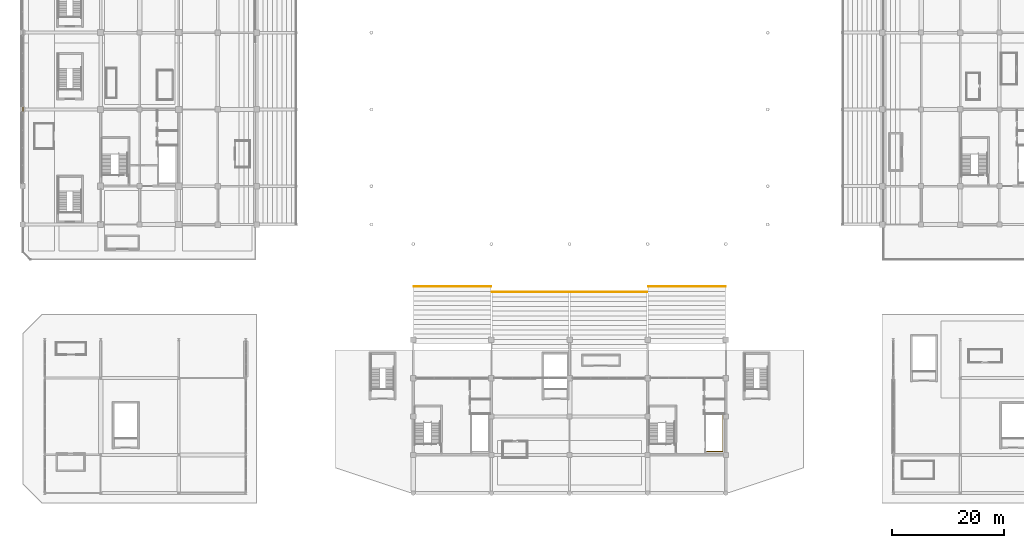
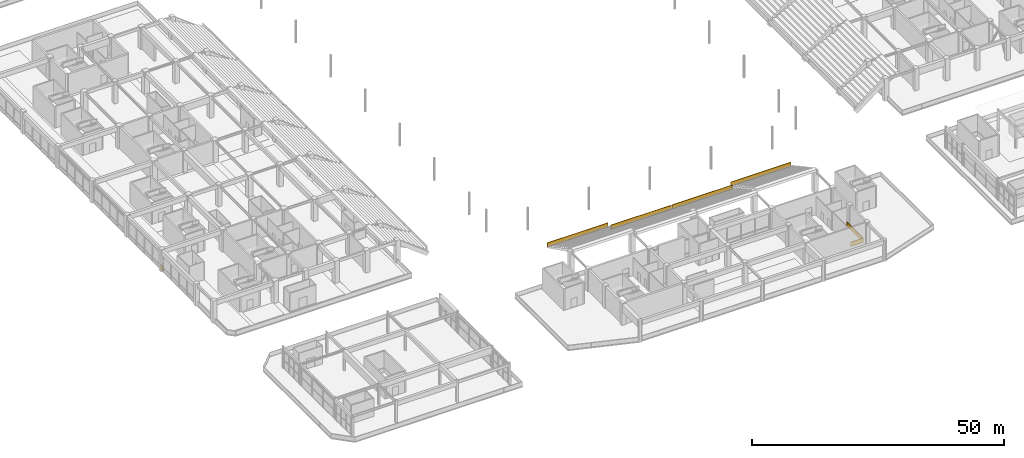
# One storey, part 106 of 117: 6 railings.
"""IFC4 building model written with IfcOpenShell, lengths in metres."""

from ifc_helpers import new_model, si_unit, direction, frame, origin, origin_2d, place, context, subcontext, project, spatial, rectangle, extrude, material, type_object, element, save


model = new_model("IFC4")

# Units and contexts
model_context = context("Model", 3, precision=1e-05, world=origin(), true_north=direction((0.0, 1.0)))
body_context = subcontext(model_context, "Body", "Model", "MODEL_VIEW")
ifc_project = project(units=[si_unit("LENGTHUNIT", "METRE"), si_unit("AREAUNIT", "SQUARE_METRE"), si_unit("VOLUMEUNIT", "CUBIC_METRE"), si_unit("PLANEANGLEUNIT", "RADIAN"), si_unit("MASSUNIT", "GRAM", prefix="KILO")], contexts=[model_context])

# Site, building, storey
site_placement = place(None, origin())
site = spatial("IfcSite", under=ifc_project, at=site_placement, CompositionType="ELEMENT")
building_placement = place(site_placement, origin())
building = spatial("IfcBuilding", under=site, at=building_placement, Name="Linyun Crest Stadium", CompositionType="ELEMENT")
storey_placement = place(building_placement, frame((0.0, 0.0, 6.0)))
storey = spatial("IfcBuildingStorey", under=building, at=storey_placement, Name="L02", CompositionType="ELEMENT", Elevation=6.0)

# Railings
ifc_material = material(Name="Galvanized and powder-coated steel bowl safety barrier", Category="steel")
railing_type = type_object("IfcRailingType", Name="GR02", PredefinedType="GUARDRAIL", material=ifc_material)
for number, where, name in (
    (1, (-27.919921875, -57.10009765625, 0.300048828125), "Bowl front safety guard GR02 62"),
    (2, (-13.919921875, -58.10009765625, 0.300048828125), "Bowl front safety guard GR02 69"),
    (3, (0.080078125, -58.10009765625, 0.300048828125), "Bowl front safety guard GR02 76"),
    (4, (14.080078125, -57.10009765625, 0.300048828125), "Bowl front safety guard GR02 83"),
):
    element("IfcRailing", number, at=place(storey_placement, frame(where)), inside=storey, type_object=railing_type, Name=name, PredefinedType="GUARDRAIL", context=body_context, shape_type="SweptSolid", body=[
        extrude(rectangle(XDim=0.06005859375, YDim=0.06005859375, at=origin_2d()), frame((0.0, 0.0, 1.090087890625), z_axis=(1.0, 0.0, 0.0), x_axis=(0.0, 1.0, 0.0)), (0.0, 0.0, 1.0), 13.83984375),
        extrude(rectangle(XDim=0.030029296875, YDim=1.0, at=origin_2d()), frame((0.0, 0.0, 0.56005859375), z_axis=(1.0, 0.0, 0.0), x_axis=(0.0, 1.0, 0.0)), (0.0, 0.0, 1.0), 13.83984375),
        extrude(rectangle(XDim=0.06005859375, YDim=0.06005859375, at=origin_2d()), frame((0.0, 0.0, 0.030029296875), z_axis=(1.0, 0.0, 0.0), x_axis=(0.0, 1.0, 0.0)), (0.0, 0.0, 1.0), 13.83984375),
        extrude(rectangle(XDim=0.050048828125, YDim=0.050048828125, at=origin_2d()), origin(), (0.0, 0.0, 1.0), 1.1201171875),
        extrude(rectangle(XDim=0.050048828125, YDim=0.050048828125, at=origin_2d()), frame((2.306640625, 0.0, 0.0)), (0.0, 0.0, 1.0), 1.1201171875),
        extrude(rectangle(XDim=0.050048828125, YDim=0.050048828125, at=origin_2d()), frame((4.61328125, 0.0, 0.0)), (0.0, 0.0, 1.0), 1.1201171875),
        extrude(rectangle(XDim=0.050048828125, YDim=0.050048828125, at=origin_2d()), frame((6.919921875, 0.0, 0.0)), (0.0, 0.0, 1.0), 1.1201171875),
        extrude(rectangle(XDim=0.050048828125, YDim=0.050048828125, at=origin_2d()), frame((9.2265625, 0.0, 0.0)), (0.0, 0.0, 1.0), 1.1201171875),
        extrude(rectangle(XDim=0.050048828125, YDim=0.050048828125, at=origin_2d()), frame((11.533203125, 0.0, 0.0)), (0.0, 0.0, 1.0), 1.1201171875),
        extrude(rectangle(XDim=0.050048828125, YDim=0.050048828125, at=origin_2d()), frame((13.83984375, 0.0, 0.0)), (0.0, 0.0, 1.0), 1.1201171875),
    ])
railing_1_placement = place(storey_placement, frame((-97.93994140625, -25.925048828125, 0.0)))
element("IfcRailing", 5, at=railing_1_placement, inside=storey, type_object=railing_type, Name="Slab edge balustrade GR02 20", PredefinedType="GUARDRAIL", context=body_context, shape_type="SweptSolid", body=[
    extrude(rectangle(XDim=0.06005859375, YDim=0.06005859375, at=origin_2d()), frame((0.0, 0.0, 1.090087890625), z_axis=(0.0, 1.0, 0.0), x_axis=(-1.0, 0.0, 0.0)), (0.0, 0.0, 1.0), 1.10009765625),
    extrude(rectangle(XDim=0.030029296875, YDim=1.0, at=origin_2d()), frame((0.0, 0.0, 0.56005859375), z_axis=(0.0, 1.0, 0.0), x_axis=(-1.0, 0.0, 0.0)), (0.0, 0.0, 1.0), 1.10009765625),
    extrude(rectangle(XDim=0.06005859375, YDim=0.06005859375, at=origin_2d()), frame((0.0, 0.0, 0.030029296875), z_axis=(0.0, 1.0, 0.0), x_axis=(-1.0, 0.0, 0.0)), (0.0, 0.0, 1.0), 1.10009765625),
    extrude(rectangle(XDim=0.050048828125, YDim=0.050048828125, at=origin_2d()), origin(), (0.0, 0.0, 1.0), 1.1201171875),
    extrude(rectangle(XDim=0.050048828125, YDim=0.050048828125, at=origin_2d()), frame((0.0, 1.10009765625, 0.0)), (0.0, 0.0, 1.0), 1.1201171875),
])
railing_2_placement = place(storey_placement, frame((24.580078125, -86.659912109375, 0.0)))
element("IfcRailing", 6, at=railing_2_placement, inside=storey, type_object=railing_type, Name="Slab edge balustrade GR02 255", PredefinedType="GUARDRAIL", context=body_context, shape_type="SweptSolid", body=[
    extrude(rectangle(XDim=0.06005859375, YDim=0.06005859375, at=origin_2d()), frame((0.0, 0.0, 1.090087890625), z_axis=(1.0, 0.0, 0.0), x_axis=(0.0, 1.0, 0.0)), (0.0, 0.0, 1.0), 2.8798828125),
    extrude(rectangle(XDim=0.030029296875, YDim=1.0, at=origin_2d()), frame((0.0, 0.0, 0.56005859375), z_axis=(1.0, 0.0, 0.0), x_axis=(0.0, 1.0, 0.0)), (0.0, 0.0, 1.0), 2.8798828125),
    extrude(rectangle(XDim=0.06005859375, YDim=0.06005859375, at=origin_2d()), frame((0.0, 0.0, 0.030029296875), z_axis=(1.0, 0.0, 0.0), x_axis=(0.0, 1.0, 0.0)), (0.0, 0.0, 1.0), 2.8798828125),
    extrude(rectangle(XDim=0.06005859375, YDim=0.06005859375, at=origin_2d()), frame((2.8798828125, 0.0, 1.090087890625), z_axis=(0.0, 1.0, 0.0), x_axis=(-1.0, 0.0, 0.0)), (0.0, 0.0, 1.0), 6.5498046875),
    extrude(rectangle(XDim=0.030029296875, YDim=1.0, at=origin_2d()), frame((2.8798828125, 0.0, 0.56005859375), z_axis=(0.0, 1.0, 0.0), x_axis=(-1.0, 0.0, 0.0)), (0.0, 0.0, 1.0), 6.5498046875),
    extrude(rectangle(XDim=0.06005859375, YDim=0.06005859375, at=origin_2d()), frame((2.8798828125, 0.0, 0.030029296875), z_axis=(0.0, 1.0, 0.0), x_axis=(-1.0, 0.0, 0.0)), (0.0, 0.0, 1.0), 6.5498046875),
    extrude(rectangle(XDim=0.050048828125, YDim=0.050048828125, at=origin_2d()), origin(), (0.0, 0.0, 1.0), 1.1201171875),
    extrude(rectangle(XDim=0.050048828125, YDim=0.050048828125, at=origin_2d()), frame((2.8798828125, 0.0, 0.0)), (0.0, 0.0, 1.0), 1.1201171875),
    extrude(rectangle(XDim=0.050048828125, YDim=0.050048828125, at=origin_2d()), frame((2.8798828125, 3.27490234375, 0.0)), (0.0, 0.0, 1.0), 1.1201171875),
    extrude(rectangle(XDim=0.050048828125, YDim=0.050048828125, at=origin_2d()), frame((2.8798828125, 6.5498046875, 0.0)), (0.0, 0.0, 1.0), 1.1201171875),
])

save(model, "model.ifc")
